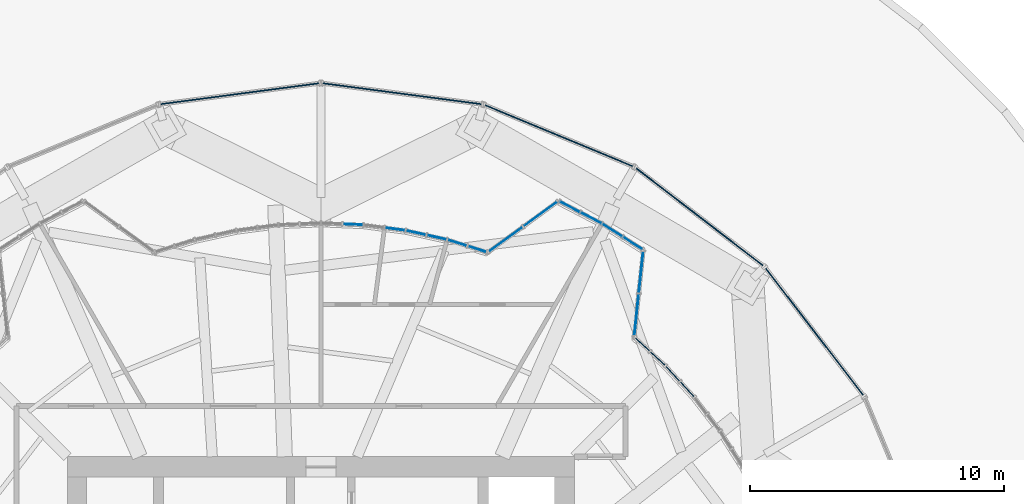
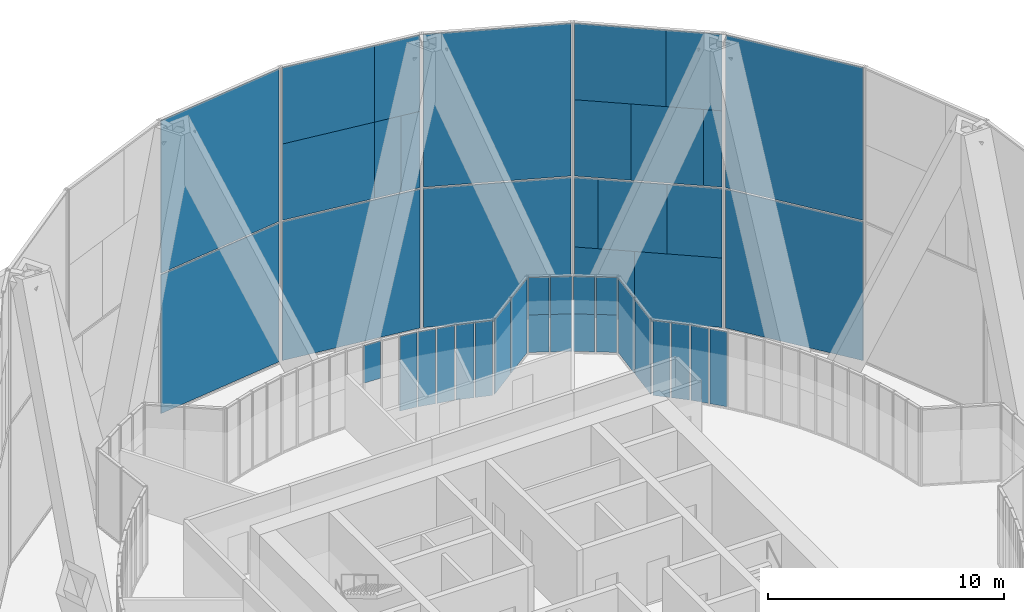
# One storey, part 22 of 27: 44 plates, 15 elements without a shape of their own.
"""IFC4 building model written with IfcOpenShell, lengths in metres."""

from ifc_helpers import new_model, si_unit, direction, frame, origin, origin_2d, place, context, subcontext, project, spatial, rectangle, extrude, material, layer, layer_set, type_object, element, aggregate, save


model = new_model("IFC4")

# Units and contexts
model_context = context("Model", 3, precision=1e-05, world=origin(), true_north=direction((0.0, 1.0)))
body_context = subcontext(model_context, "Body", "Model", "MODEL_VIEW")
ifc_project = project(units=[si_unit("LENGTHUNIT", "METRE"), si_unit("AREAUNIT", "SQUARE_METRE"), si_unit("VOLUMEUNIT", "CUBIC_METRE"), si_unit("PLANEANGLEUNIT", "RADIAN"), si_unit("MASSUNIT", "GRAM", prefix="KILO")], contexts=[model_context])

# Site, building, storey
site_placement = place(None, origin())
site = spatial("IfcSite", under=ifc_project, at=site_placement, CompositionType="ELEMENT")
building_placement = place(site_placement, origin())
building = spatial("IfcBuilding", under=site, at=building_placement, Name="Golbaran Civic Tower", CompositionType="ELEMENT")
storey_placement = place(building_placement, frame((0.0, 0.0, 21.0)))
storey = spatial("IfcBuildingStorey", under=building, at=storey_placement, Name="L04", CompositionType="ELEMENT", Elevation=21.0)

# Curtain wall, plates
ifc_material_1 = material(Name="Aluminium and glass", Category="aluminium")
curtain_wall_type_1 = type_object("IfcCurtainWallType", Name="INNER SKIN CURTAIN WALL", PredefinedType="NOTDEFINED", material=ifc_material_1)
curtain_wall_1_placement = place(storey_placement, origin())
curtain_wall_1 = element("IfcCurtainWall", 1, at=curtain_wall_1_placement, inside=storey, type_object=curtain_wall_type_1, Name="Inner skin L04 facet 9 CW1", ObjectType="INNER SKIN", PredefinedType="USERDEFINED")
ifc_material_2 = material(Name="Clear insulating glass", Category="glass")
ifc_layer_1 = layer(ifc_material_2, 0.031982421875, Name="Clear insulating glass")
ifc_layer_set_1 = layer_set([ifc_layer_1], Name="Clear insulating glass")
plate_type_1 = type_object("IfcPlateType", Name="INNER SKIN CURTAIN WALL GLAZED PANEL", PredefinedType="CURTAIN_PANEL", material=ifc_layer_set_1)
plate_1_placement = place(storey_placement, frame((14.4365234375, 12.66015625, 0.06494140625), z_axis=(0.0, 0.0, 1.0), x_axis=(-0.67559020804, 0.737277336421, 0.0)))
plate_1 = element("IfcPlate", 2, at=plate_1_placement, type_object=plate_type_1, Name="CW1 panel 1.1", PredefinedType="CURTAIN_PANEL", context=body_context, shape_type="SweptSolid", body=[
    extrude(rectangle(XDim=0.773193359375, YDim=0.031982421875, at=origin_2d()), origin(), (0.0, 0.0, 1.0), 3.8701171875),
])
plate_2_placement = place(storey_placement, frame((13.8701171875, 13.278076171875, 0.06494140625), z_axis=(0.0, 0.0, 1.0), x_axis=(-0.67559020804, 0.737277336421, 0.0)))
plate_2 = element("IfcPlate", 3, at=plate_2_placement, type_object=plate_type_1, Name="CW1 panel 2.1", PredefinedType="CURTAIN_PANEL", context=body_context, shape_type="SweptSolid", body=[
    extrude(rectangle(XDim=0.773193359375, YDim=0.031982421875, at=origin_2d()), origin(), (0.0, 0.0, 1.0), 3.8701171875),
])
aggregate(curtain_wall_1, [plate_1, plate_2])

curtain_wall_2_placement = place(storey_placement, origin())
curtain_wall_2 = element("IfcCurtainWall", 4, at=curtain_wall_2_placement, inside=storey, type_object=curtain_wall_type_1, Name="Inner skin L04 facet 10 CW1", ObjectType="INNER SKIN", PredefinedType="USERDEFINED")
plate_3_placement = place(storey_placement, frame((13.278076171875, 13.8701171875, 0.06494140625), z_axis=(0.0, 0.0, 1.0), x_axis=(-0.737277336421, 0.67559020804, 0.0)))
plate_3 = element("IfcPlate", 5, at=plate_3_placement, type_object=plate_type_1, Name="CW1 panel 1.1", PredefinedType="CURTAIN_PANEL", context=body_context, shape_type="SweptSolid", body=[
    extrude(rectangle(XDim=0.773193359375, YDim=0.031982421875, at=origin_2d()), origin(), (0.0, 0.0, 1.0), 3.8701171875),
])
plate_4_placement = place(storey_placement, frame((12.672119140625, 14.425537109375, 0.06494140625), z_axis=(0.0, 0.0, 1.0), x_axis=(-0.737277336421, 0.67559020804, 0.0)))
plate_4 = element("IfcPlate", 6, at=plate_4_placement, type_object=plate_type_1, Name="CW1 panel 2.1", PredefinedType="CURTAIN_PANEL", context=body_context, shape_type="SweptSolid", body=[
    extrude(rectangle(XDim=0.74072265625, YDim=0.031982421875, at=origin_2d()), origin(), (0.0, 0.0, 1.0), 3.8701171875),
])
aggregate(curtain_wall_2, [plate_3, plate_4])

curtain_wall_3_placement = place(storey_placement, origin())
curtain_wall_3 = element("IfcCurtainWall", 7, at=curtain_wall_3_placement, inside=storey, type_object=curtain_wall_type_1, Name="Inner skin L04 facet 11 CW1", ObjectType="INNER SKIN", PredefinedType="USERDEFINED")
plate_5_placement = place(storey_placement, frame((12.442626953125, 15.593994140625, 0.06494140625), z_axis=(0.0, 0.0, 1.0), x_axis=(0.104093242509, 0.994567542635, 0.0)))
plate_5 = element("IfcPlate", 8, at=plate_5_placement, type_object=plate_type_1, Name="CW1 panel 1.1", PredefinedType="CURTAIN_PANEL", context=body_context, shape_type="SweptSolid", body=[
    extrude(rectangle(XDim=1.62841796875, YDim=0.031982421875, at=origin_2d()), origin(), (0.0, 0.0, 1.0), 3.8701171875),
])
plate_6_placement = place(storey_placement, frame((12.618896484375, 17.278076171875, 0.06494140625), z_axis=(0.0, 0.0, 1.0), x_axis=(0.104093242509, 0.994567542635, 0.0)))
plate_6 = element("IfcPlate", 9, at=plate_6_placement, type_object=plate_type_1, Name="CW1 panel 2.1", PredefinedType="CURTAIN_PANEL", context=body_context, shape_type="SweptSolid", body=[
    extrude(rectangle(XDim=1.62841796875, YDim=0.031982421875, at=origin_2d()), origin(), (0.0, 0.0, 1.0), 3.8701171875),
])
aggregate(curtain_wall_3, [plate_5, plate_6])

curtain_wall_4_placement = place(storey_placement, origin())
curtain_wall_4 = element("IfcCurtainWall", 10, at=curtain_wall_4_placement, inside=storey, type_object=curtain_wall_type_1, Name="Inner skin L04 facet 14 CW1", ObjectType="INNER SKIN", PredefinedType="USERDEFINED")
plate_7_placement = place(storey_placement, frame((8.65380859375, 19.5673828125, 0.06494140625), z_axis=(0.0, 0.0, 1.0), x_axis=(-0.809274136458, -0.587431163679, 0.0)))
plate_7 = element("IfcPlate", 11, at=plate_7_placement, type_object=plate_type_1, Name="CW1 panel 1.1", PredefinedType="CURTAIN_PANEL", context=body_context, shape_type="SweptSolid", body=[
    extrude(rectangle(XDim=1.62841796875, YDim=0.031982421875, at=origin_2d()), origin(), (0.0, 0.0, 1.0), 3.8701171875),
])
plate_8_placement = place(storey_placement, frame((7.283447265625, 18.57275390625, 0.06494140625), z_axis=(0.0, 0.0, 1.0), x_axis=(-0.809274136458, -0.587431163679, 0.0)))
plate_8 = element("IfcPlate", 12, at=plate_8_placement, type_object=plate_type_1, Name="CW1 panel 2.1", PredefinedType="CURTAIN_PANEL", context=body_context, shape_type="SweptSolid", body=[
    extrude(rectangle(XDim=1.62841796875, YDim=0.031982421875, at=origin_2d()), origin(), (0.0, 0.0, 1.0), 3.8701171875),
])
aggregate(curtain_wall_4, [plate_7, plate_8])

curtain_wall_5_placement = place(storey_placement, origin())
curtain_wall_5 = element("IfcCurtainWall", 13, at=curtain_wall_5_placement, inside=storey, type_object=curtain_wall_type_1, Name="Inner skin L04 facet 15 CW1", ObjectType="INNER SKIN", PredefinedType="USERDEFINED")
plate_9_placement = place(storey_placement, frame((6.15673828125, 18.18701171875, 0.06494140625), z_axis=(0.0, 0.0, 1.0), x_axis=(-0.953716950685, 0.300705799704, 0.0)))
plate_9 = element("IfcPlate", 14, at=plate_9_placement, type_object=plate_type_1, Name="CW1 panel 1.1", PredefinedType="CURTAIN_PANEL", context=body_context, shape_type="SweptSolid", body=[
    extrude(rectangle(XDim=0.74072265625, YDim=0.031982421875, at=origin_2d()), origin(), (0.0, 0.0, 1.0), 3.8701171875),
])
plate_10_placement = place(storey_placement, frame((5.372802734375, 18.434326171875, 0.06494140625), z_axis=(0.0, 0.0, 1.0), x_axis=(-0.953716950685, 0.300705799704, 0.0)))
plate_10 = element("IfcPlate", 15, at=plate_10_placement, type_object=plate_type_1, Name="CW1 panel 2.1", PredefinedType="CURTAIN_PANEL", context=body_context, shape_type="SweptSolid", body=[
    extrude(rectangle(XDim=0.773193359375, YDim=0.031982421875, at=origin_2d()), origin(), (0.0, 0.0, 1.0), 3.8701171875),
])
aggregate(curtain_wall_5, [plate_9, plate_10])

curtain_wall_6_placement = place(storey_placement, origin())
curtain_wall_6 = element("IfcCurtainWall", 16, at=curtain_wall_6_placement, inside=storey, type_object=curtain_wall_type_1, Name="Inner skin L04 facet 16 CW1", ObjectType="INNER SKIN", PredefinedType="USERDEFINED")
plate_11_placement = place(storey_placement, frame((4.56396484375, 18.65087890625, 0.06494140625), z_axis=(0.0, 0.0, 1.0), x_axis=(-0.976296007124, 0.216439613921, 0.0)))
plate_11 = element("IfcPlate", 17, at=plate_11_placement, type_object=plate_type_1, Name="CW1 panel 1.1", PredefinedType="CURTAIN_PANEL", context=body_context, shape_type="SweptSolid", body=[
    extrude(rectangle(XDim=0.773193359375, YDim=0.031982421875, at=origin_2d()), origin(), (0.0, 0.0, 1.0), 3.8701171875),
])
plate_12_placement = place(storey_placement, frame((3.745849609375, 18.832275390625, 0.06494140625), z_axis=(0.0, 0.0, 1.0), x_axis=(-0.976296007124, 0.216439613921, 0.0)))
plate_12 = element("IfcPlate", 18, at=plate_12_placement, type_object=plate_type_1, Name="CW1 panel 2.1", PredefinedType="CURTAIN_PANEL", context=body_context, shape_type="SweptSolid", body=[
    extrude(rectangle(XDim=0.773193359375, YDim=0.031982421875, at=origin_2d()), origin(), (0.0, 0.0, 1.0), 3.8701171875),
])
aggregate(curtain_wall_6, [plate_11, plate_12])

# Curtain wall, plate
curtain_wall_7_placement = place(storey_placement, origin())
curtain_wall_7 = element("IfcCurtainWall", 19, at=curtain_wall_7_placement, inside=storey, type_object=curtain_wall_type_1, Name="Inner skin L04 facet 17 CW1", ObjectType="INNER SKIN", PredefinedType="USERDEFINED")
plate_13_placement = place(storey_placement, frame((2.921142578125, 18.977783203125, 0.06494140625), z_axis=(0.0, 0.0, 1.0), x_axis=(-0.991444861351, 0.130526192393, 0.0)))
plate_13 = element("IfcPlate", 20, at=plate_13_placement, type_object=plate_type_1, Name="CW1 panel 1.1", PredefinedType="CURTAIN_PANEL", context=body_context, shape_type="SweptSolid", body=[
    extrude(rectangle(XDim=0.773193359375, YDim=0.031982421875, at=origin_2d()), origin(), (0.0, 0.0, 1.0), 3.8701171875),
])
aggregate(curtain_wall_7, [plate_13])

# Curtain wall, plates
curtain_wall_8_placement = place(storey_placement, origin())
curtain_wall_8 = element("IfcCurtainWall", 21, at=curtain_wall_8_placement, inside=storey, type_object=curtain_wall_type_1, Name="Inner skin L04 facet 12 CW1", ObjectType="INNER SKIN", PredefinedType="USERDEFINED")
ifc_material_3 = material(Name="Aluminium faced opaque infill panel", Category="aluminium")
ifc_layer_2 = layer(ifc_material_3, 0.031982421875, Name="Aluminium faced opaque infill panel")
ifc_layer_set_2 = layer_set([ifc_layer_2], Name="Aluminium faced opaque infill panel")
plate_type_2 = type_object("IfcPlateType", Name="INNER SKIN CURTAIN WALL OPAQUE INFILL PANEL", PredefinedType="CURTAIN_PANEL", material=ifc_layer_set_2)
plate_14_placement = place(storey_placement, frame((12.2890625, 18.4208984375, 0.06494140625), z_axis=(0.0, 0.0, 1.0), x_axis=(-0.843391445747, 0.53729960845, 0.0)))
plate_14 = element("IfcPlate", 22, at=plate_14_placement, type_object=plate_type_2, Name="CW1 infill panel 1.1 part 1", PredefinedType="CURTAIN_PANEL", context=body_context, shape_type="SweptSolid", body=[
    extrude(rectangle(XDim=0.869140625, YDim=0.031982421875, at=origin_2d()), origin(), (0.0, 0.0, 1.0), 1.93505859375),
])
plate_15_placement = place(storey_placement, frame((12.2890625, 18.4208984375, 2.0), z_axis=(0.0, 0.0, 1.0), x_axis=(-0.843391445747, 0.53729960845, 0.0)))
plate_15 = element("IfcPlate", 23, at=plate_15_placement, type_object=plate_type_2, Name="CW1 infill panel 1.1 part 2", PredefinedType="CURTAIN_PANEL", context=body_context, shape_type="SweptSolid", body=[
    extrude(rectangle(XDim=0.869140625, YDim=0.031982421875, at=origin_2d()), origin(), (0.0, 0.0, 1.0), 1.93505859375),
])
plate_16_placement = place(storey_placement, frame((11.487548828125, 18.931396484375, 0.06494140625), z_axis=(0.0, 0.0, 1.0), x_axis=(-0.843391445747, 0.53729960845, 0.0)))
plate_16 = element("IfcPlate", 24, at=plate_16_placement, type_object=plate_type_2, Name="CW1 infill panel 2.1 part 1", PredefinedType="CURTAIN_PANEL", context=body_context, shape_type="SweptSolid", body=[
    extrude(rectangle(XDim=0.901611328125, YDim=0.031982421875, at=origin_2d()), origin(), (0.0, 0.0, 1.0), 1.93505859375),
])
plate_17_placement = place(storey_placement, frame((11.487548828125, 18.931396484375, 2.0), z_axis=(0.0, 0.0, 1.0), x_axis=(-0.843391445747, 0.53729960845, 0.0)))
plate_17 = element("IfcPlate", 25, at=plate_17_placement, type_object=plate_type_2, Name="CW1 infill panel 2.1 part 2", PredefinedType="CURTAIN_PANEL", context=body_context, shape_type="SweptSolid", body=[
    extrude(rectangle(XDim=0.901611328125, YDim=0.031982421875, at=origin_2d()), origin(), (0.0, 0.0, 1.0), 1.93505859375),
])
aggregate(curtain_wall_8, [plate_14, plate_15, plate_16, plate_17])

curtain_wall_9_placement = place(storey_placement, origin())
curtain_wall_9 = element("IfcCurtainWall", 26, at=curtain_wall_9_placement, inside=storey, type_object=curtain_wall_type_1, Name="Inner skin L04 facet 13 CW1", ObjectType="INNER SKIN", PredefinedType="USERDEFINED")
plate_18_placement = place(storey_placement, frame((10.6513671875, 19.414306640625, 0.06494140625), z_axis=(0.0, 0.0, 1.0), x_axis=(-0.88701083317, 0.461748613251, 0.0)))
plate_18 = element("IfcPlate", 27, at=plate_18_placement, type_object=plate_type_2, Name="CW1 infill panel 1.1 part 1", PredefinedType="CURTAIN_PANEL", context=body_context, shape_type="SweptSolid", body=[
    extrude(rectangle(XDim=0.901611328125, YDim=0.031982421875, at=origin_2d()), origin(), (0.0, 0.0, 1.0), 1.93505859375),
])
plate_19_placement = place(storey_placement, frame((10.6513671875, 19.414306640625, 2.0), z_axis=(0.0, 0.0, 1.0), x_axis=(-0.88701083317, 0.461748613251, 0.0)))
plate_19 = element("IfcPlate", 28, at=plate_19_placement, type_object=plate_type_2, Name="CW1 infill panel 1.1 part 2", PredefinedType="CURTAIN_PANEL", context=body_context, shape_type="SweptSolid", body=[
    extrude(rectangle(XDim=0.901611328125, YDim=0.031982421875, at=origin_2d()), origin(), (0.0, 0.0, 1.0), 1.93505859375),
])
plate_20_placement = place(storey_placement, frame((9.808349609375, 19.85302734375, 0.06494140625), z_axis=(0.0, 0.0, 1.0), x_axis=(-0.88701083317, 0.461748613251, 0.0)))
plate_20 = element("IfcPlate", 29, at=plate_20_placement, type_object=plate_type_2, Name="CW1 infill panel 2.1 part 1", PredefinedType="CURTAIN_PANEL", context=body_context, shape_type="SweptSolid", body=[
    extrude(rectangle(XDim=0.869140625, YDim=0.031982421875, at=origin_2d()), origin(), (0.0, 0.0, 1.0), 1.93505859375),
])
plate_21_placement = place(storey_placement, frame((9.808349609375, 19.85302734375, 2.0), z_axis=(0.0, 0.0, 1.0), x_axis=(-0.88701083317, 0.461748613251, 0.0)))
plate_21 = element("IfcPlate", 30, at=plate_21_placement, type_object=plate_type_2, Name="CW1 infill panel 2.1 part 2", PredefinedType="CURTAIN_PANEL", context=body_context, shape_type="SweptSolid", body=[
    extrude(rectangle(XDim=0.869140625, YDim=0.031982421875, at=origin_2d()), origin(), (0.0, 0.0, 1.0), 1.93505859375),
])
aggregate(curtain_wall_9, [plate_18, plate_19, plate_20, plate_21])

# Curtain wall, plate
curtain_wall_10_placement = place(storey_placement, origin())
curtain_wall_10 = element("IfcCurtainWall", 31, at=curtain_wall_10_placement, inside=storey, type_object=curtain_wall_type_1, Name="Inner skin L04 facet 18 CW1", ObjectType="INNER SKIN", PredefinedType="USERDEFINED")
plate_22_placement = place(storey_placement, frame((1.256103515625, 19.16015625, 2.0), z_axis=(0.0, 0.0, 1.0), x_axis=(-0.999048221586, 0.043619387261, 0.0)))
plate_22 = element("IfcPlate", 32, at=plate_22_placement, type_object=plate_type_2, Name="CW1 infill panel 1.1 part 2", PredefinedType="CURTAIN_PANEL", context=body_context, shape_type="SweptSolid", body=[
    extrude(rectangle(XDim=0.773193359375, YDim=0.031982421875, at=origin_2d()), origin(), (0.0, 0.0, 1.0), 1.93505859375),
])
aggregate(curtain_wall_10, [plate_22])

# Curtain wall, plates
curtain_wall_type_2 = type_object("IfcCurtainWallType", Name="OUTER SKIN TERRACOTTA SCREEN", PredefinedType="NOTDEFINED", material=ifc_material_1)
curtain_wall_11_placement = place(storey_placement, origin())
curtain_wall_11 = element("IfcCurtainWall", 33, at=curtain_wall_11_placement, inside=storey, type_object=curtain_wall_type_2, Name="Outer skin L04 facet 4 CW3", ObjectType="OUTER SKIN", PredefinedType="USERDEFINED")
ifc_material_4 = material(Name="Clear laminated glass", Category="glass")
ifc_layer_3 = layer(ifc_material_4, 0.0400390625, Name="Clear laminated glass")
ifc_layer_set_3 = layer_set([ifc_layer_3], Name="Clear laminated glass")
plate_type_3 = type_object("IfcPlateType", Name="OUTER SKIN CLEAR GLASS PANEL", PredefinedType="CURTAIN_PANEL", material=ifc_layer_set_3)
plate_23_placement = place(storey_placement, frame((15.943603515625, 18.677001953125, 0.080078125), z_axis=(0.0, 0.0, 1.0), x_axis=(-0.793353340312, 0.608761428981, 0.0)))
plate_23 = element("IfcPlate", 34, at=plate_23_placement, type_object=plate_type_3, Name="CW3 panel 1.1 part 1", PredefinedType="CURTAIN_PANEL", context=body_context, shape_type="SweptSolid", body=[
    extrude(rectangle(XDim=3.739013671875, YDim=0.0400390625, at=origin_2d()), origin(), (0.0, 0.0, 1.0), 3.5849609375),
])
plate_24_placement = place(storey_placement, frame((16.4951171875, 18.25390625, 3.6650390625), z_axis=(0.0, 0.0, 1.0), x_axis=(-0.793353340312, 0.608761428981, 0.0)))
plate_24 = element("IfcPlate", 35, at=plate_24_placement, type_object=plate_type_3, Name="CW3 panel 1.1 part 3", PredefinedType="CURTAIN_PANEL", context=body_context, shape_type="SweptSolid", body=[
    extrude(rectangle(XDim=2.34912109375, YDim=0.0400390625, at=origin_2d()), origin(), (0.0, 0.0, 1.0), 3.5849609375),
])
plate_25_placement = place(storey_placement, frame((12.828857421875, 21.067138671875, 3.6650390625), z_axis=(0.0, 0.0, 1.0), x_axis=(-0.793353340312, 0.608761428981, 0.0)))
plate_25 = element("IfcPlate", 36, at=plate_25_placement, type_object=plate_type_3, Name="CW3 panel 1.1 part 5", PredefinedType="CURTAIN_PANEL", context=body_context, shape_type="SweptSolid", body=[
    extrude(rectangle(XDim=1.003173828125, YDim=0.0400390625, at=origin_2d()), origin(), (0.0, 0.0, 1.0), 3.5849609375),
])
plate_26_placement = place(storey_placement, frame((17.113525390625, 17.779541015625, 7.330078125), z_axis=(0.0, 0.0, 1.0), x_axis=(-0.793353340312, 0.608761428981, 0.0)))
plate_26 = element("IfcPlate", 37, at=plate_26_placement, type_object=plate_type_3, Name="CW3 panel 1.2 part 1", PredefinedType="CURTAIN_PANEL", context=body_context, shape_type="SweptSolid", body=[
    extrude(rectangle(XDim=0.7900390625, YDim=0.0400390625, at=origin_2d()), origin(), (0.0, 0.0, 1.0), 3.93994140625),
])
plate_27_placement = place(storey_placement, frame((13.383544921875, 20.6416015625, 7.330078125), z_axis=(0.0, 0.0, 1.0), x_axis=(-0.793353340312, 0.608761428981, 0.0)))
plate_27 = element("IfcPlate", 38, at=plate_27_placement, type_object=plate_type_3, Name="CW3 panel 1.2 part 3", PredefinedType="CURTAIN_PANEL", context=body_context, shape_type="SweptSolid", body=[
    extrude(rectangle(XDim=2.401123046875, YDim=0.0400390625, at=origin_2d()), origin(), (0.0, 0.0, 1.0), 3.93994140625),
])
plate_28_placement = place(storey_placement, frame((13.97998046875, 20.183837890625, 11.27001953125), z_axis=(0.0, 0.0, 1.0), x_axis=(-0.793353340312, 0.608761428981, 0.0)))
plate_28 = element("IfcPlate", 39, at=plate_28_placement, type_object=plate_type_3, Name="CW3 panel 1.2 part 5", PredefinedType="CURTAIN_PANEL", context=body_context, shape_type="SweptSolid", body=[
    extrude(rectangle(XDim=3.905029296875, YDim=0.0400390625, at=origin_2d()), origin(), (0.0, 0.0, 1.0), 3.93994140625),
])

curtain_wall_12_placement = place(storey_placement, origin())
curtain_wall_12 = element("IfcCurtainWall", 40, at=curtain_wall_12_placement, inside=storey, type_object=curtain_wall_type_2, Name="Outer skin L04 facet 6 CW3", ObjectType="OUTER SKIN", PredefinedType="USERDEFINED")
plate_29_placement = place(storey_placement, frame((3.200927734375, 24.3134765625, 0.080078125), z_axis=(0.0, 0.0, 1.0), x_axis=(-0.991444861369, 0.130526192255, 0.0)))
plate_29 = element("IfcPlate", 41, at=plate_29_placement, type_object=plate_type_3, Name="CW3 panel 1.1", PredefinedType="CURTAIN_PANEL", context=body_context, shape_type="SweptSolid", body=[
    extrude(rectangle(XDim=6.297119140625, YDim=0.0400390625, at=origin_2d()), origin(), (0.0, 0.0, 1.0), 7.169921875),
])
plate_30_placement = place(storey_placement, frame((5.897705078125, 23.95849609375, 7.330078125), z_axis=(0.0, 0.0, 1.0), x_axis=(-0.991444861369, 0.130526192255, 0.0)))
plate_30 = element("IfcPlate", 42, at=plate_30_placement, type_object=plate_type_3, Name="CW3 panel 1.2 part 1", PredefinedType="CURTAIN_PANEL", context=body_context, shape_type="SweptSolid", body=[
    extrude(rectangle(XDim=0.85693359375, YDim=0.0400390625, at=origin_2d()), origin(), (0.0, 0.0, 1.0), 3.93994140625),
])
plate_31_placement = place(storey_placement, frame((2.169921875, 24.44921875, 7.330078125), z_axis=(0.0, 0.0, 1.0), x_axis=(-0.991444861369, 0.130526192255, 0.0)))
plate_31 = element("IfcPlate", 43, at=plate_31_placement, type_object=plate_type_3, Name="CW3 panel 1.2 part 3", PredefinedType="CURTAIN_PANEL", context=body_context, shape_type="SweptSolid", body=[
    extrude(rectangle(XDim=4.217041015625, YDim=0.0400390625, at=origin_2d()), origin(), (0.0, 0.0, 1.0), 3.93994140625),
])
plate_32_placement = place(storey_placement, frame((2.169921875, 24.44921875, 11.27001953125), z_axis=(0.0, 0.0, 1.0), x_axis=(-0.991444861369, 0.130526192255, 0.0)))
plate_32 = element("IfcPlate", 44, at=plate_32_placement, type_object=plate_type_3, Name="CW3 panel 1.2 part 5", PredefinedType="CURTAIN_PANEL", context=body_context, shape_type="SweptSolid", body=[
    extrude(rectangle(XDim=4.217041015625, YDim=0.0400390625, at=origin_2d()), origin(), (0.0, 0.0, 1.0), 3.93994140625),
])

# Plate
ifc_material_5 = material(Name="Terracotta baguette screen", Category="masonry")
ifc_layer_4 = layer(ifc_material_5, 0.0400390625, Name="Terracotta baguette screen")
ifc_layer_set_4 = layer_set([ifc_layer_4], Name="Terracotta baguette screen")
plate_type_4 = type_object("IfcPlateType", Name="OUTER SKIN TERRACOTTA INFILL PANEL", PredefinedType="CURTAIN_PANEL", material=ifc_layer_set_4)
plate_33_placement = place(storey_placement, frame((13.44580078125, 20.59375, 0.080078125), z_axis=(0.0, 0.0, 1.0), x_axis=(-0.793353340312, 0.608761428981, 0.0)))
plate_33 = element("IfcPlate", 45, at=plate_33_placement, type_object=plate_type_4, Name="CW3 infill panel 1.1 part 2", PredefinedType="CURTAIN_PANEL", context=body_context, shape_type="SweptSolid", body=[
    extrude(rectangle(XDim=2.55810546875, YDim=0.0400390625, at=origin_2d()), origin(), (0.0, 0.0, 1.0), 3.5849609375),
])

plate_34_placement = place(storey_placement, frame((14.39501953125, 19.865478515625, 3.6650390625), z_axis=(0.0, 0.0, 1.0), x_axis=(-0.793353340312, 0.608761428981, 0.0)))
plate_34 = element("IfcPlate", 46, at=plate_34_placement, type_object=plate_type_4, Name="CW3 infill panel 1.1 part 4", PredefinedType="CURTAIN_PANEL", context=body_context, shape_type="SweptSolid", body=[
    extrude(rectangle(XDim=2.945068359375, YDim=0.0400390625, at=origin_2d()), origin(), (0.0, 0.0, 1.0), 3.5849609375),
])

plate_35_placement = place(storey_placement, frame((15.56787109375, 18.96533203125, 7.330078125), z_axis=(0.0, 0.0, 1.0), x_axis=(-0.793353340312, 0.608761428981, 0.0)))
plate_35 = element("IfcPlate", 47, at=plate_35_placement, type_object=plate_type_4, Name="CW3 infill panel 1.2 part 2", PredefinedType="CURTAIN_PANEL", context=body_context, shape_type="SweptSolid", body=[
    extrude(rectangle(XDim=3.10595703125, YDim=0.0400390625, at=origin_2d()), origin(), (0.0, 0.0, 1.0), 3.93994140625),
])

plate_36_placement = place(storey_placement, frame((16.47802734375, 18.26708984375, 11.27001953125), z_axis=(0.0, 0.0, 1.0), x_axis=(-0.793353340312, 0.608761428981, 0.0)))
plate_36 = element("IfcPlate", 48, at=plate_36_placement, type_object=plate_type_4, Name="CW3 infill panel 1.2 part 4", PredefinedType="CURTAIN_PANEL", context=body_context, shape_type="SweptSolid", body=[
    extrude(rectangle(XDim=2.39208984375, YDim=0.0400390625, at=origin_2d()), origin(), (0.0, 0.0, 1.0), 3.93994140625),
])

aggregate(curtain_wall_11, [plate_23, plate_33, plate_24, plate_34, plate_25, plate_26, plate_35, plate_27, plate_36, plate_28])

plate_37_placement = place(storey_placement, frame((4.86669921875, 24.09423828125, 7.330078125), z_axis=(0.0, 0.0, 1.0), x_axis=(-0.991444861369, 0.130526192255, 0.0)))
plate_37 = element("IfcPlate", 49, at=plate_37_placement, type_object=plate_type_4, Name="CW3 infill panel 1.2 part 2", PredefinedType="CURTAIN_PANEL", context=body_context, shape_type="SweptSolid", body=[
    extrude(rectangle(XDim=1.222900390625, YDim=0.0400390625, at=origin_2d()), origin(), (0.0, 0.0, 1.0), 3.93994140625),
])

plate_38_placement = place(storey_placement, frame((5.29150390625, 24.038330078125, 11.27001953125), z_axis=(0.0, 0.0, 1.0), x_axis=(-0.991444861369, 0.130526192255, 0.0)))
plate_38 = element("IfcPlate", 50, at=plate_38_placement, type_object=plate_type_4, Name="CW3 infill panel 1.2 part 4", PredefinedType="CURTAIN_PANEL", context=body_context, shape_type="SweptSolid", body=[
    extrude(rectangle(XDim=2.080078125, YDim=0.0400390625, at=origin_2d()), origin(), (0.0, 0.0, 1.0), 3.93994140625),
])

aggregate(curtain_wall_12, [plate_29, plate_30, plate_37, plate_31, plate_38, plate_32])

# Curtain wall, plates
curtain_wall_13_placement = place(storey_placement, origin())
curtain_wall_13 = element("IfcCurtainWall", 51, at=curtain_wall_13_placement, inside=storey, type_object=curtain_wall_type_2, Name="Outer skin L04 facet 3 CW3", ObjectType="OUTER SKIN", PredefinedType="USERDEFINED")
ifc_layer_5 = layer(ifc_material_5, 0.0400390625, Name="Terracotta baguette screen")
ifc_layer_set_5 = layer_set([ifc_layer_5], Name="Terracotta baguette screen")
plate_type_5 = type_object("IfcPlateType", Name="OUTER SKIN TERRACOTTA SCREEN PANEL", PredefinedType="CURTAIN_PANEL", material=ifc_layer_set_5)
plate_39_placement = place(storey_placement, frame((19.455810546875, 14.928955078125, 0.080078125), z_axis=(0.0, 0.0, 1.0), x_axis=(-0.608761428981, 0.793353340312, 0.0)))
plate_39 = element("IfcPlate", 52, at=plate_39_placement, type_object=plate_type_5, Name="CW3 terracotta screen panel 1.1", PredefinedType="CURTAIN_PANEL", context=body_context, shape_type="SweptSolid", body=[
    extrude(rectangle(XDim=6.297119140625, YDim=0.0400390625, at=origin_2d()), origin(), (0.0, 0.0, 1.0), 7.169921875),
])
plate_40_placement = place(storey_placement, frame((19.455810546875, 14.928955078125, 7.330078125), z_axis=(0.0, 0.0, 1.0), x_axis=(-0.608761428981, 0.793353340312, 0.0)))
plate_40 = element("IfcPlate", 53, at=plate_40_placement, type_object=plate_type_5, Name="CW3 terracotta screen panel 1.2", PredefinedType="CURTAIN_PANEL", context=body_context, shape_type="SweptSolid", body=[
    extrude(rectangle(XDim=6.297119140625, YDim=0.0400390625, at=origin_2d()), origin(), (0.0, 0.0, 1.0), 7.8798828125),
])
aggregate(curtain_wall_13, [plate_39, plate_40])

curtain_wall_14_placement = place(storey_placement, origin())
curtain_wall_14 = element("IfcCurtainWall", 54, at=curtain_wall_14_placement, inside=storey, type_object=curtain_wall_type_2, Name="Outer skin L04 facet 5 CW3", ObjectType="OUTER SKIN", PredefinedType="USERDEFINED")
plate_41_placement = place(storey_placement, frame((9.384765625, 22.65673828125, 0.080078125), z_axis=(0.0, 0.0, 1.0), x_axis=(-0.923879532538, 0.382683432301, 0.0)))
plate_41 = element("IfcPlate", 55, at=plate_41_placement, type_object=plate_type_5, Name="CW3 terracotta screen panel 1.1", PredefinedType="CURTAIN_PANEL", context=body_context, shape_type="SweptSolid", body=[
    extrude(rectangle(XDim=6.297119140625, YDim=0.0400390625, at=origin_2d()), origin(), (0.0, 0.0, 1.0), 7.169921875),
])
plate_42_placement = place(storey_placement, frame((9.384765625, 22.65673828125, 7.330078125), z_axis=(0.0, 0.0, 1.0), x_axis=(-0.923879532538, 0.382683432301, 0.0)))
plate_42 = element("IfcPlate", 56, at=plate_42_placement, type_object=plate_type_5, Name="CW3 terracotta screen panel 1.2", PredefinedType="CURTAIN_PANEL", context=body_context, shape_type="SweptSolid", body=[
    extrude(rectangle(XDim=6.297119140625, YDim=0.0400390625, at=origin_2d()), origin(), (0.0, 0.0, 1.0), 7.8798828125),
])
aggregate(curtain_wall_14, [plate_41, plate_42])

curtain_wall_15_placement = place(storey_placement, origin())
curtain_wall_15 = element("IfcCurtainWall", 57, at=curtain_wall_15_placement, inside=storey, type_object=curtain_wall_type_2, Name="Outer skin L04 facet 7 CW3", ObjectType="OUTER SKIN", PredefinedType="USERDEFINED")
plate_43_placement = place(storey_placement, frame((-3.200927734375, 24.3134765625, 0.080078125), z_axis=(0.0, 0.0, 1.0), x_axis=(-0.991444861369, -0.130526192255, 0.0)))
plate_43 = element("IfcPlate", 58, at=plate_43_placement, type_object=plate_type_5, Name="CW3 terracotta screen panel 1.1", PredefinedType="CURTAIN_PANEL", context=body_context, shape_type="SweptSolid", body=[
    extrude(rectangle(XDim=6.297119140625, YDim=0.0400390625, at=origin_2d()), origin(), (0.0, 0.0, 1.0), 7.169921875),
])
plate_44_placement = place(storey_placement, frame((-3.200927734375, 24.3134765625, 7.330078125), z_axis=(0.0, 0.0, 1.0), x_axis=(-0.991444861369, -0.130526192255, 0.0)))
plate_44 = element("IfcPlate", 59, at=plate_44_placement, type_object=plate_type_5, Name="CW3 terracotta screen panel 1.2", PredefinedType="CURTAIN_PANEL", context=body_context, shape_type="SweptSolid", body=[
    extrude(rectangle(XDim=6.297119140625, YDim=0.0400390625, at=origin_2d()), origin(), (0.0, 0.0, 1.0), 7.8798828125),
])
aggregate(curtain_wall_15, [plate_43, plate_44])

save(model, "model.ifc")
